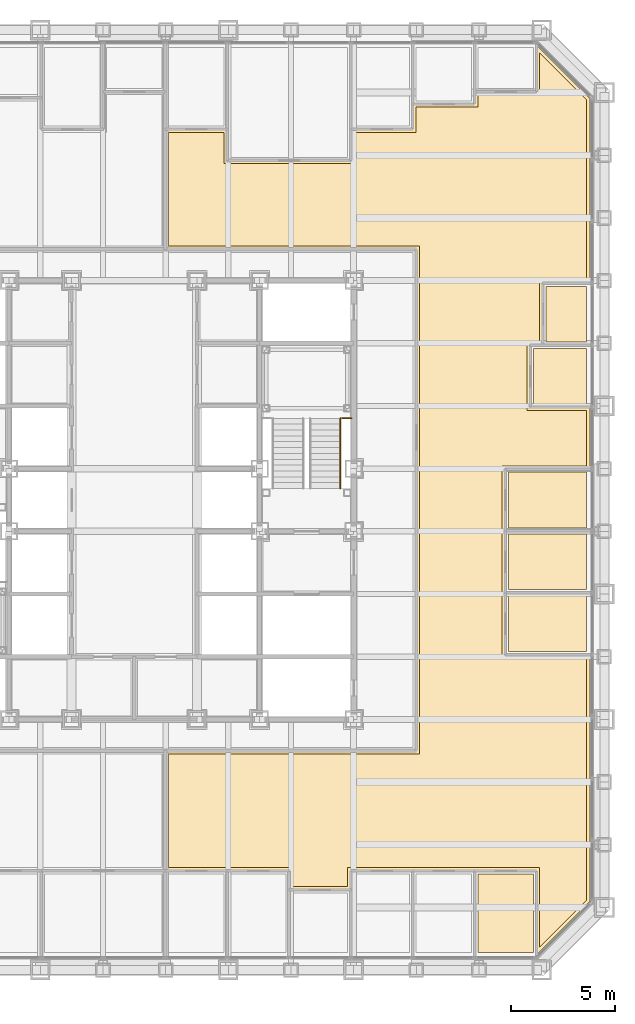
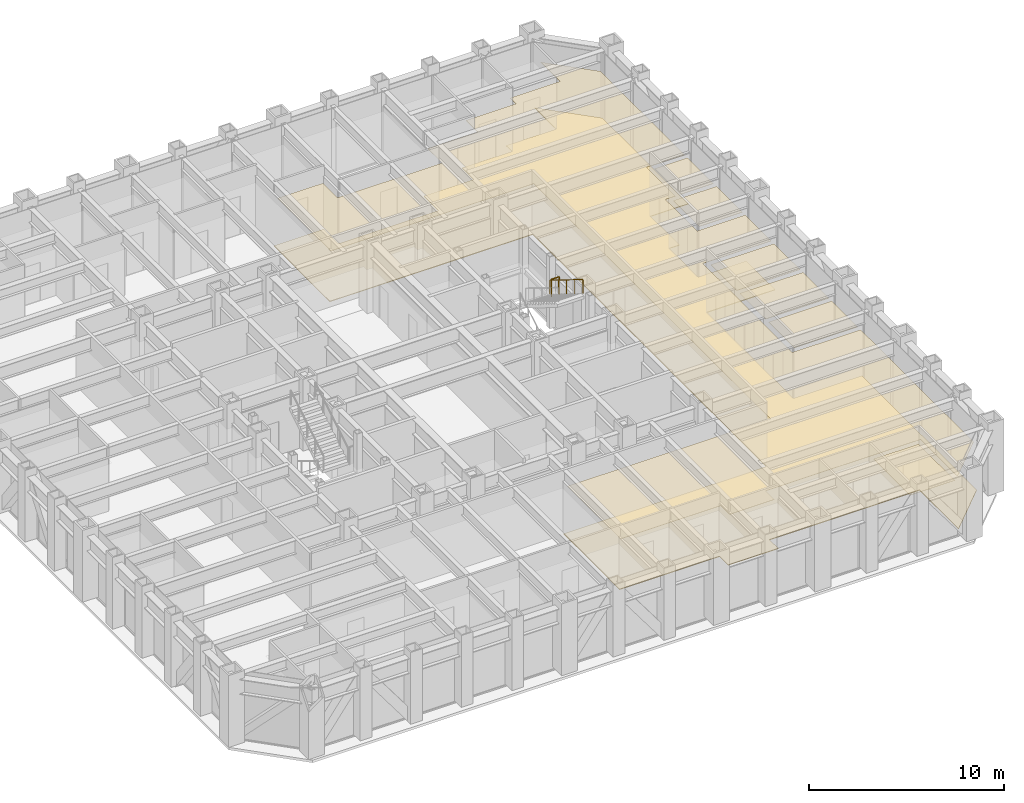
# One storey, part 15 of 16: 8 coverings, 2 railings.
"""IFC4 building model written with IfcOpenShell, lengths in metres."""

from ifc_helpers import new_model, si_unit, direction, frame, origin, origin_2d, place, context, subcontext, project, spatial, polyline, circle, outline, extrude, material, layer, layer_set, type_object, element, save


model = new_model("IFC4")

# Units and contexts
model_context = context("Model", 3, precision=1e-05, world=origin(), true_north=direction((0.0, 1.0)))
body_context = subcontext(model_context, "Body", "Model", "MODEL_VIEW")
ifc_project = project(units=[si_unit("LENGTHUNIT", "METRE"), si_unit("AREAUNIT", "SQUARE_METRE"), si_unit("VOLUMEUNIT", "CUBIC_METRE"), si_unit("PLANEANGLEUNIT", "RADIAN"), si_unit("MASSUNIT", "GRAM", prefix="KILO")], contexts=[model_context])

# Site, building, storey
site_placement = place(None, origin())
site = spatial("IfcSite", under=ifc_project, at=site_placement, CompositionType="ELEMENT")
building_placement = place(site_placement, origin())
building = spatial("IfcBuilding", under=site, at=building_placement, Name="Chuquiago Exchange Tower", CompositionType="ELEMENT")
storey_placement = place(building_placement, frame((0.0, 0.0, 60.300048828125)))
storey = spatial("IfcBuildingStorey", under=building, at=storey_placement, Name="L12", CompositionType="ELEMENT", Elevation=60.300048828125)

# Coverings
ifc_material_1 = material(Name="Mineral fibre tile, 600 x 600, on pale metal grid", Category="mineral fibre")
ifc_layer_1 = layer(ifc_material_1, 0.02001953125)
ifc_layer_set_1 = layer_set([ifc_layer_1], Name="CL1 suspended tile ceiling 20")
covering_type_1 = type_object("IfcCoveringType", Name="CL1 suspended tile ceiling 20", PredefinedType="CEILING", material=ifc_layer_set_1)
covering_1_placement = place(storey_placement, frame((0.0, 0.0, 3.0)))
element("IfcCovering", 1, at=covering_1_placement, inside=storey, type_object=covering_type_1, Name="Ceiling Meeting room", PredefinedType="CEILING", context=body_context, shape_type="SweptSolid", body=[
    extrude(outline(polyline([(38.939697265625, 0.85009765625), (38.939697265625, 4.60009765625), (41.6015625, 4.60009765625), (41.6015625, 0.85009765625), (38.939697265625, 0.85009765625)])), origin(), (0.0, 0.0, 1.0), 0.02001953125),
])
covering_2_placement = place(storey_placement, frame((0.0, 0.0, 3.0)))
element("IfcCovering", 2, at=covering_2_placement, inside=storey, type_object=covering_type_1, Name="Ceiling Office", PredefinedType="CEILING", context=body_context, shape_type="SweptSolid", body=[
    extrude(outline(polyline([(40.39990234375, 15.24560546875), (40.39990234375, 17.907470703125), (44.14990234375, 17.907470703125), (44.14990234375, 15.24560546875), (40.39990234375, 15.24560546875)])), origin(), (0.0, 0.0, 1.0), 0.02001953125),
])
covering_3_placement = place(storey_placement, frame((0.0, 0.0, 3.0)))
element("IfcCovering", 3, at=covering_3_placement, inside=storey, type_object=covering_type_1, Name="Ceiling Office", PredefinedType="CEILING", context=body_context, shape_type="SweptSolid", body=[
    extrude(outline(polyline([(40.39990234375, 18.20751953125), (40.39990234375, 20.869140625), (44.14990234375, 20.869140625), (44.14990234375, 18.20751953125), (40.39990234375, 18.20751953125)])), origin(), (0.0, 0.0, 1.0), 0.02001953125),
])
covering_4_placement = place(storey_placement, frame((0.0, 0.0, 3.0)))
element("IfcCovering", 4, at=covering_4_placement, inside=storey, type_object=covering_type_1, Name="Ceiling Office", PredefinedType="CEILING", context=body_context, shape_type="SweptSolid", body=[
    extrude(outline(polyline([(40.39990234375, 21.169189453125), (40.39990234375, 23.830810546875), (44.14990234375, 23.830810546875), (44.14990234375, 21.169189453125), (40.39990234375, 21.169189453125)])), origin(), (0.0, 0.0, 1.0), 0.02001953125),
])
covering_5_placement = place(storey_placement, frame((0.0, 0.0, 3.0)))
element("IfcCovering", 5, at=covering_5_placement, inside=storey, type_object=covering_type_1, Name="Ceiling Pantry", PredefinedType="CEILING", context=body_context, shape_type="SweptSolid", body=[
    extrude(outline(polyline([(41.60009765625, 27.092529296875), (41.60009765625, 29.75439453125), (44.14990234375, 29.75439453125), (44.14990234375, 27.092529296875), (41.60009765625, 27.092529296875)])), origin(), (0.0, 0.0, 1.0), 0.02001953125),
])
covering_6_placement = place(storey_placement, frame((0.0, 0.0, 3.0)))
element("IfcCovering", 6, at=covering_6_placement, inside=storey, type_object=covering_type_1, Name="Ceiling Focus room", PredefinedType="CEILING", context=body_context, shape_type="SweptSolid", body=[
    extrude(outline(polyline([(42.199951171875, 30.054443359375), (42.199951171875, 32.71630859375), (44.14990234375, 32.71630859375), (44.14990234375, 30.054443359375), (42.199951171875, 30.054443359375)])), origin(), (0.0, 0.0, 1.0), 0.02001953125),
])
covering_7_placement = place(storey_placement, frame((0.0, 0.0, 3.0)))
element("IfcCovering", 7, at=covering_7_placement, inside=storey, type_object=covering_type_1, Name="Ceiling Trading floor east suite", PredefinedType="CEILING", context=body_context, shape_type="SweptSolid", body=[
    extrude(outline(polyline([(26.79248046875, 38.60009765625), (33.01611328125, 38.60009765625), (33.01611328125, 40.10009765625), (35.977783203125, 40.10009765625), (35.977783203125, 41.300048828125), (38.939697265625, 41.300048828125), (38.939697265625, 41.89990234375), (41.901611328125, 41.89990234375), (41.901611328125, 43.896484375), (44.14990234375, 41.64794921875), (44.14990234375, 33.01611328125), (41.89990234375, 33.01611328125), (41.89990234375, 30.054443359375), (41.300048828125, 30.054443359375), (41.300048828125, 26.79248046875), (44.14990234375, 26.79248046875), (44.14990234375, 24.130859375), (40.10009765625, 24.130859375), (40.10009765625, 14.945556640625), (44.14990234375, 14.945556640625), (44.14990234375, 3.35205078125), (41.901611328125, 1.103515625), (41.901611328125, 4.89990234375), (32.71630859375, 4.89990234375), (32.71630859375, 4.0), (30.054443359375, 4.0), (30.054443359375, 4.89990234375), (24.13134765625, 4.89990234375), (24.13134765625, 10.349609375), (36.150390625, 10.35009765625), (36.150390625, 34.650146484375), (24.13134765625, 34.650390625), (24.13134765625, 40.10009765625), (26.79248046875, 40.10009765625), (26.79248046875, 38.60009765625)])), origin(), (0.0, 0.0, 1.0), 0.02001953125),
])

# Railings
ifc_material_2 = material(Name="Pale metal guard with safety glass infill", Category="glass")
railing_type_1 = type_object("IfcRailingType", Name="GR1 guard 1100", PredefinedType="GUARDRAIL", material=ifc_material_2)
railing_1_placement = place(storey_placement, frame((32.445068359375, 26.409912109375, 2.25)))
element("IfcRailing", 8, at=railing_1_placement, inside=storey, type_object=railing_type_1, Name="Guard ST2 L12 landing 2", PredefinedType="GUARDRAIL", context=body_context, shape_type="SweptSolid", body=[
    extrude(circle(Radius=0.02392578125, at=origin_2d()), frame((0.0, 0.0, 1.076171875), z_axis=(1.0, 0.0, 0.0), x_axis=(0.0, 1.0, 0.0)), (0.0, 0.0, 1.0), 0.454833984375),
    extrude(circle(Radius=0.02099609375, at=origin_2d()), origin(), (0.0, 0.0, 1.0), 1.052001953125),
    extrude(circle(Radius=0.02099609375, at=origin_2d()), frame((0.454833984375, 0.0, 0.0)), (0.0, 0.0, 1.0), 1.052001953125),
])
ifc_material_3 = material(Name="Pale metal handrail", Category="steel")
railing_type_2 = type_object("IfcRailingType", Name="HR1 handrail 900", PredefinedType="HANDRAIL", material=ifc_material_3)
railing_2_placement = place(storey_placement, frame((32.364990234375, 26.409912109375, 2.423095703125)))
element("IfcRailing", 9, at=railing_2_placement, inside=storey, type_object=railing_type_2, Name="Handrail ST2 L12 flight 2", PredefinedType="HANDRAIL", context=body_context, shape_type="SweptSolid", body=[
    extrude(circle(Radius=0.02392578125, at=origin_2d()), frame((0.0, 0.0, 0.8759765625), z_axis=(0.0, -0.850606129759, 0.525803396734), x_axis=(1.0, 0.0, 0.0)), (0.0, 0.0, 1.0), 3.949951171875),
    extrude(circle(Radius=0.02099609375, at=origin_2d()), origin(), (0.0, 0.0, 1.0), 0.851806640625),
    extrude(circle(Radius=0.02099609375, at=origin_2d()), frame((0.0, -0.83984375, 0.519287109375)), (0.0, 0.0, 1.0), 0.851806640625),
    extrude(circle(Radius=0.02099609375, at=origin_2d()), frame((0.0, -1.679931640625, 1.03857421875)), (0.0, 0.0, 1.0), 0.851806640625),
    extrude(circle(Radius=0.02099609375, at=origin_2d()), frame((0.0, -2.52001953125, 1.5576171875)), (0.0, 0.0, 1.0), 0.851806640625),
    extrude(circle(Radius=0.02099609375, at=origin_2d()), frame((0.0, -3.35986328125, 2.076904296875)), (0.0, 0.0, 1.0), 0.851806640625),
])

# Covering
ifc_material_4 = material(Name="Steel raised floor panel", Category="steel")
ifc_layer_2 = layer(ifc_material_4, 0.0400390625)
ifc_layer_set_2 = layer_set([ifc_layer_2], Name="RF1 raised access floor 40")
covering_type_2 = type_object("IfcCoveringType", Name="RF1 raised access floor 40", PredefinedType="FLOORING", material=ifc_layer_set_2)
covering_8_placement = place(storey_placement, frame((0.0, 0.0, -0.0400390625)))
element("IfcCovering", 10, at=covering_8_placement, inside=storey, type_object=covering_type_2, Name="Raised access floor Trading floor east suite", PredefinedType="FLOORING", context=body_context, shape_type="SweptSolid", body=[
    extrude(outline(polyline([(26.942626953125, 40.25), (26.942626953125, 38.75), (32.8662109375, 38.75), (32.8662109375, 40.25), (35.827880859375, 40.25), (35.827880859375, 41.449951171875), (38.789794921875, 41.449951171875), (38.789794921875, 42.050048828125), (41.75146484375, 42.050048828125), (41.75146484375, 44.258544921875), (44.300048828125, 41.710205078125), (44.300048828125, 32.8662109375), (42.050048828125, 32.8662109375), (42.050048828125, 29.904296875), (41.449951171875, 29.904296875), (41.449951171875, 26.942626953125), (44.300048828125, 26.942626953125), (44.300048828125, 23.98095703125), (40.25, 23.98095703125), (40.25, 15.095703125), (44.300048828125, 15.095703125), (44.300048828125, 3.289794921875), (41.75146484375, 0.741455078125), (41.75146484375, 4.75), (32.8662109375, 4.75), (32.8662109375, 3.85009765625), (29.904296875, 3.85009765625), (29.904296875, 4.75), (23.9814453125, 4.75), (23.9814453125, 10.49951171875), (36.00048828125, 10.5), (36.00048828125, 34.5), (23.9814453125, 34.50048828125), (23.9814453125, 40.25), (26.942626953125, 40.25)])), origin(), (0.0, 0.0, 1.0), 0.0400390625),
])

save(model, "model.ifc")
